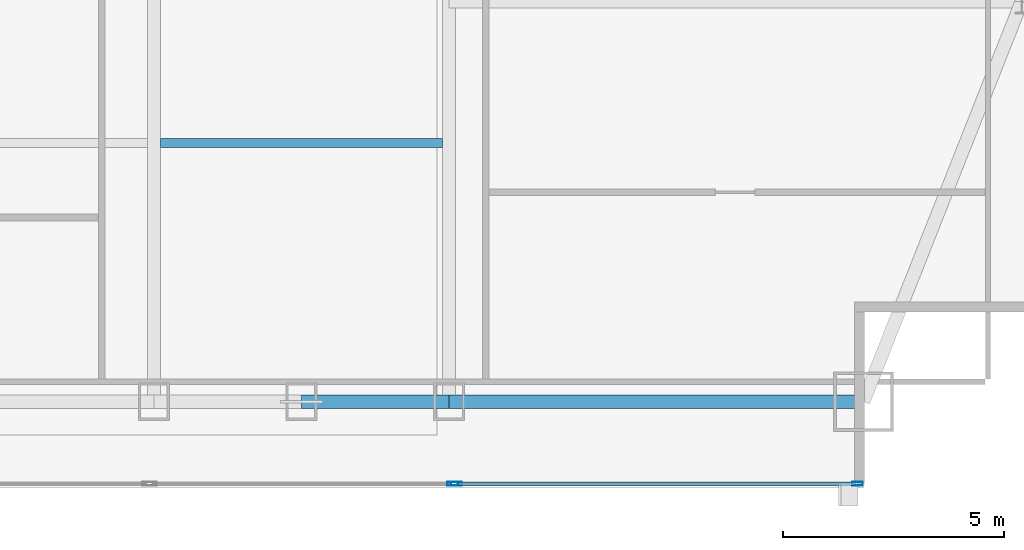
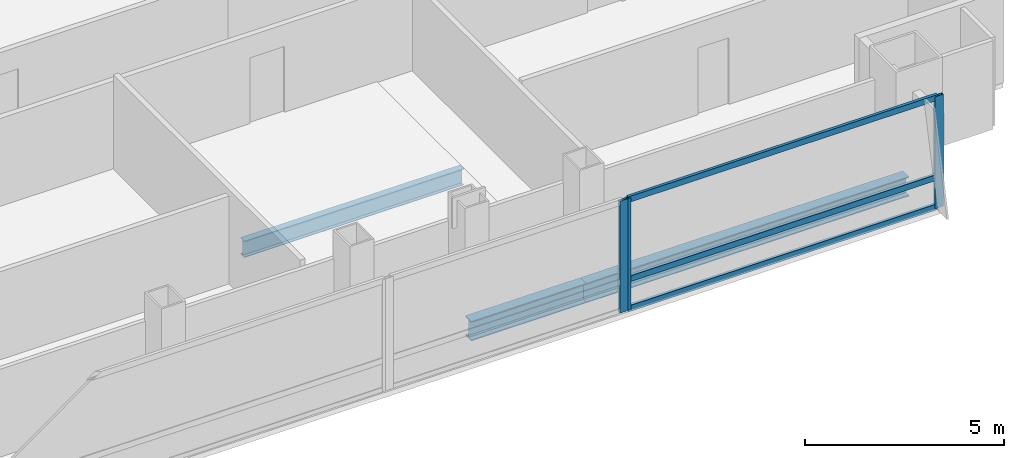
# One storey, part 15 of 29: 6 members, 3 beams, 2 elements without a shape of their own.
"""IFC4 building model written with IfcOpenShell, lengths in metres."""

from ifc_helpers import new_model, si_unit, direction, frame, origin, origin_2d, place, context, subcontext, project, spatial, hollow_rectangle, i_section, extrude, material, material_profile, profile_set, type_object, element, aggregate, save


model = new_model("IFC4")

# Units and contexts
model_context = context("Model", 3, precision=1e-05, world=origin(), true_north=direction((0.0, 1.0)))
body_context = subcontext(model_context, "Body", "Model", "MODEL_VIEW")
ifc_project = project(units=[si_unit("LENGTHUNIT", "METRE"), si_unit("AREAUNIT", "SQUARE_METRE"), si_unit("VOLUMEUNIT", "CUBIC_METRE"), si_unit("PLANEANGLEUNIT", "RADIAN"), si_unit("MASSUNIT", "GRAM", prefix="KILO")], contexts=[model_context])

# Site, building, storey
site_placement = place(None, origin())
site = spatial("IfcSite", under=ifc_project, at=site_placement, CompositionType="ELEMENT")
building_placement = place(site_placement, origin())
building = spatial("IfcBuilding", under=site, at=building_placement, Name="Khoronbel Lancet Exchange", CompositionType="ELEMENT")
storey_placement = place(building_placement, frame((0.0, 0.0, 154.199951171875)))
storey = spatial("IfcBuildingStorey", under=building, at=storey_placement, Name="L38", CompositionType="ELEMENT", Elevation=154.199951171875)

# Beams
ifc_material_1 = material(Name="Steel S355", Category="steel")
ifc_material_profile_1 = material_profile(ifc_material_1, i_section(OverallWidth=0.199951171875, OverallDepth=0.5, WebThickness=0.01025390625, FlangeThickness=0.01611328125, at=origin_2d()), Name="IPE 500")
ifc_profile_set_1 = profile_set([ifc_material_profile_1], Name="Steel S355")
beam_type_1 = type_object("IfcBeamType", Name="BM-BJ3", PredefinedType="JOIST", material=ifc_profile_set_1)
beam_1_placement = place(storey_placement, frame((48.14990234375, 16.0, -0.409912109375), z_axis=(1.0, 0.0, 0.0), x_axis=(0.0, 1.0, 0.0)))
element("IfcBeam", 1, at=beam_1_placement, inside=storey, type_object=beam_type_1, Name="Level L38 secondary composite joist J05", PredefinedType="JOIST", context=body_context, shape_type="SweptSolid", body=[
    extrude(i_section(OverallWidth=0.199951171875, OverallDepth=0.5, WebThickness=0.01025390625, FlangeThickness=0.01611328125, at=origin_2d()), origin(), (0.0, 0.0, 1.0), 6.375),
])
ifc_material_profile_2 = material_profile(ifc_material_1, i_section(OverallWidth=0.300048828125, OverallDepth=0.60009765625, WebThickness=0.015380859375, FlangeThickness=0.030029296875, at=origin_2d()), Name="HEB 600")
ifc_profile_set_2 = profile_set([ifc_material_profile_2], Name="Steel S355")
beam_type_2 = type_object("IfcBeamType", Name="BM-BSP2", PredefinedType="SPANDREL", material=ifc_profile_set_2)
beam_2_placement = place(storey_placement, frame((51.33740234375, 10.14990234375, -0.4599609375), z_axis=(1.0, 0.0, 0.0), x_axis=(0.0, 1.0, 0.0)))
element("IfcBeam", 2, at=beam_2_placement, inside=storey, type_object=beam_type_2, Name="Level L38 perimeter spandrel beam SP08", PredefinedType="SPANDREL", context=body_context, shape_type="SweptSolid", body=[
    extrude(i_section(OverallWidth=0.300048828125, OverallDepth=0.60009765625, WebThickness=0.015380859375, FlangeThickness=0.030029296875, at=origin_2d()), origin(), (0.0, 0.0, 1.0), 3.337646484375),
])
beam_3_placement = place(storey_placement, frame((54.675048828125, 10.14990234375, -0.4599609375), z_axis=(1.0, 0.0, 0.0), x_axis=(0.0, 1.0, 0.0)))
element("IfcBeam", 3, at=beam_3_placement, inside=storey, type_object=beam_type_2, Name="Level L38 perimeter spandrel beam SP09", PredefinedType="SPANDREL", context=body_context, shape_type="SweptSolid", body=[
    extrude(i_section(OverallWidth=0.300048828125, OverallDepth=0.60009765625, WebThickness=0.015380859375, FlangeThickness=0.030029296875, at=origin_2d()), origin(), (0.0, 0.0, 1.0), 9.375),
])

# Curtain wall, member
ifc_material_2 = material(Name="Low-E Solar Control Insulating Glass", Category="glass")
curtain_wall_type = type_object("IfcCurtainWallType", Name="CW-3", PredefinedType="NOTDEFINED", material=ifc_material_2)
curtain_wall_1_placement = place(storey_placement, origin())
curtain_wall_1 = element("IfcCurtainWall", 4, at=curtain_wall_1_placement, inside=storey, type_object=curtain_wall_type, Name="Unitised curtain wall CW-L38-SEB", PredefinedType="NOTDEFINED")
ifc_material_3 = material(Name="Bronze-Anodised Aluminium 6063-T6", Category="aluminium")
ifc_material_profile_3 = material_profile(ifc_material_3, hollow_rectangle(XDim=0.0849609375, YDim=0.239990234375, WallThickness=0.006103515625, at=origin_2d()), Name="ALU MULLION 85x240")
ifc_profile_set_3 = profile_set([ifc_material_profile_3], Name="Bronze-Anodised Aluminium 6063-T6")
member_type_1 = type_object("IfcMemberType", Name="MEM-CWM1", PredefinedType="MULLION", material=ifc_profile_set_3)
member_1_placement = place(storey_placement, frame((54.757568359375, 8.2900390625, 0.0), z_axis=(0.0, 0.0, 1.0), x_axis=(0.0, 1.0, 0.0)))
member_1 = element("IfcMember", 5, at=member_1_placement, type_object=member_type_1, Name="CW3 mullion 2", PredefinedType="MULLION", context=body_context, shape_type="SweptSolid", body=[
    extrude(hollow_rectangle(XDim=0.0849609375, YDim=0.239990234375, WallThickness=0.006103515625, at=origin_2d()), origin(), (0.0, 0.0, 1.0), 3.43994140625),
])
aggregate(curtain_wall_1, [member_1])

# Curtain wall, members
curtain_wall_2_placement = place(storey_placement, origin())
curtain_wall_2 = element("IfcCurtainWall", 6, at=curtain_wall_2_placement, inside=storey, type_object=curtain_wall_type, Name="Unitised curtain wall CW-L38-SEV", PredefinedType="NOTDEFINED")
member_2_placement = place(storey_placement, frame((54.842529296875, 8.2900390625, 0.0), z_axis=(0.0, 0.0, 1.0), x_axis=(0.0, 1.0, 0.0)))
member_2 = element("IfcMember", 7, at=member_2_placement, type_object=member_type_1, Name="CW3 mullion 1", PredefinedType="MULLION", context=body_context, shape_type="SweptSolid", body=[
    extrude(hollow_rectangle(XDim=0.0849609375, YDim=0.239990234375, WallThickness=0.006103515625, at=origin_2d()), origin(), (0.0, 0.0, 1.0), 3.43994140625),
])
member_3_placement = place(storey_placement, frame((63.91748046875, 8.2900390625, 0.0), z_axis=(0.0, 0.0, 1.0), x_axis=(0.0, 1.0, 0.0)))
member_3 = element("IfcMember", 8, at=member_3_placement, type_object=member_type_1, Name="CW3 mullion 2", PredefinedType="MULLION", context=body_context, shape_type="SweptSolid", body=[
    extrude(hollow_rectangle(XDim=0.0849609375, YDim=0.239990234375, WallThickness=0.006103515625, at=origin_2d()), origin(), (0.0, 0.0, 1.0), 3.43994140625),
])
ifc_material_profile_4 = material_profile(ifc_material_3, hollow_rectangle(XDim=0.0849609375, YDim=0.179931640625, WallThickness=0.0048828125, at=origin_2d()), Name="ALU TRANSOM 85x180")
ifc_profile_set_4 = profile_set([ifc_material_profile_4], Name="Bronze-Anodised Aluminium 6063-T6")
member_type_2 = type_object("IfcMemberType", Name="MEM-CWT1", PredefinedType="USERDEFINED", material=ifc_profile_set_4)
member_4_placement = place(storey_placement, frame((54.885009765625, 8.2900390625, 0.04248046875), z_axis=(1.0, 0.0, 0.0), x_axis=(0.0, 1.0, 0.0)))
member_4 = element("IfcMember", 9, at=member_4_placement, type_object=member_type_2, Name="CW3 transom 1.1", ObjectType="TRANSOM", PredefinedType="USERDEFINED", context=body_context, shape_type="SweptSolid", body=[
    extrude(hollow_rectangle(XDim=0.0849609375, YDim=0.179931640625, WallThickness=0.0048828125, at=origin_2d()), origin(), (0.0, 0.0, 1.0), 8.989990234375),
])
member_5_placement = place(storey_placement, frame((54.885009765625, 8.2900390625, 0.949951171875), z_axis=(1.0, 0.0, 0.0), x_axis=(0.0, 1.0, 0.0)))
member_5 = element("IfcMember", 10, at=member_5_placement, type_object=member_type_2, Name="CW3 transom 1.2", ObjectType="TRANSOM", PredefinedType="USERDEFINED", context=body_context, shape_type="SweptSolid", body=[
    extrude(hollow_rectangle(XDim=0.0849609375, YDim=0.179931640625, WallThickness=0.0048828125, at=origin_2d()), origin(), (0.0, 0.0, 1.0), 8.989990234375),
])
member_6_placement = place(storey_placement, frame((54.885009765625, 8.2900390625, 3.3974609375), z_axis=(1.0, 0.0, 0.0), x_axis=(0.0, 1.0, 0.0)))
member_6 = element("IfcMember", 11, at=member_6_placement, type_object=member_type_2, Name="CW3 transom 1.3", ObjectType="TRANSOM", PredefinedType="USERDEFINED", context=body_context, shape_type="SweptSolid", body=[
    extrude(hollow_rectangle(XDim=0.0849609375, YDim=0.179931640625, WallThickness=0.0048828125, at=origin_2d()), origin(), (0.0, 0.0, 1.0), 8.989990234375),
])
aggregate(curtain_wall_2, [member_2, member_3, member_4, member_5, member_6])

save(model, "model.ifc")
